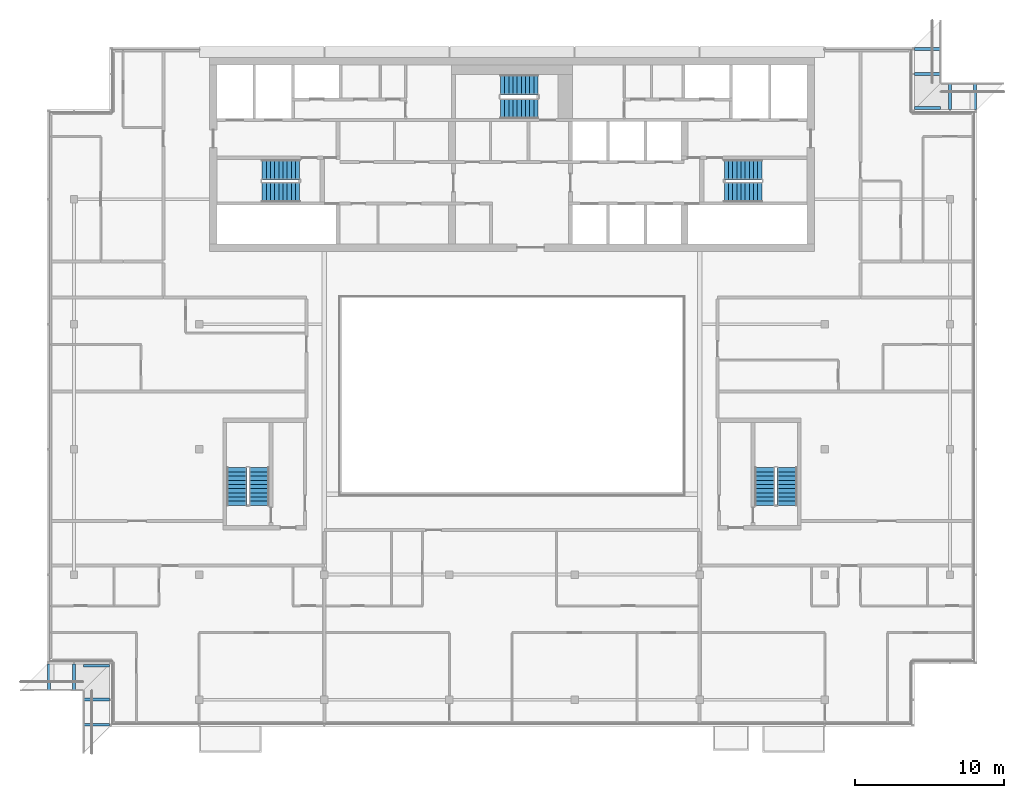
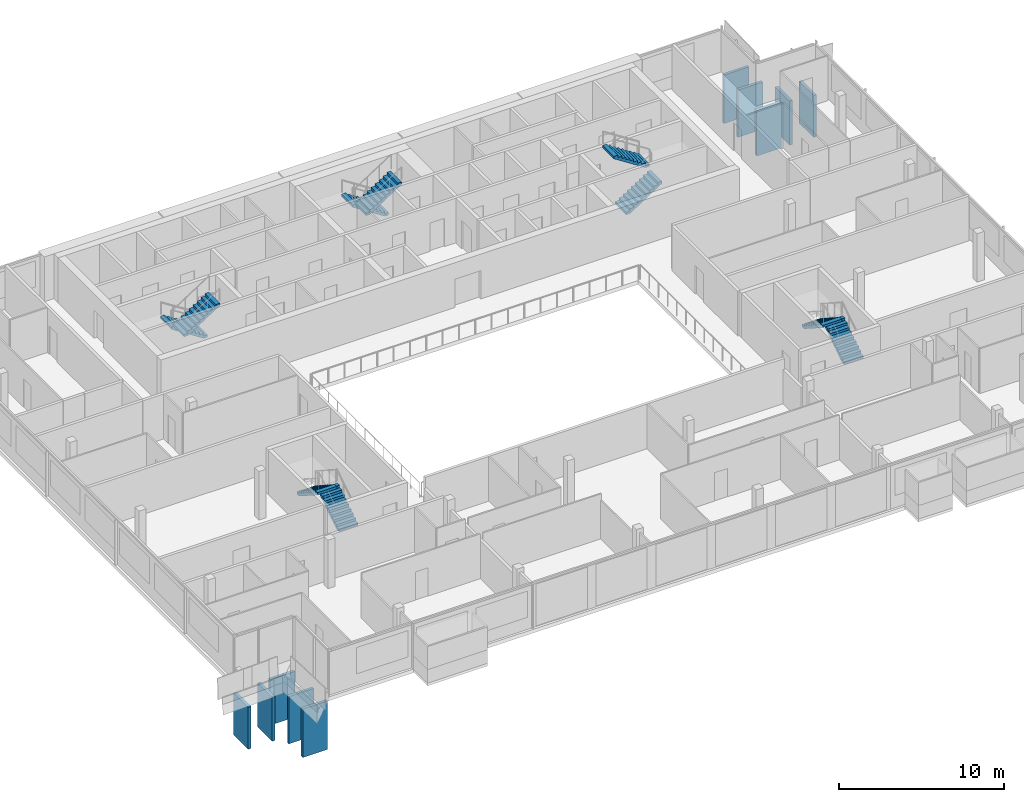
# One storey, part 21 of 24: 10 discrete accessories, 10 stair flights, 5 elements without a shape of their own.
"""IFC4 building model written with IfcOpenShell, lengths in metres."""

from ifc_helpers import new_model, si_unit, direction, frame, origin, origin_2d, place, context, subcontext, project, spatial, polyline, rectangle, outline, extrude, material, type_object, element, aggregate, save


model = new_model("IFC4")

# Units and contexts
model_context = context("Model", 3, precision=1e-05, world=origin(), true_north=direction((0.0, 1.0)))
body_context = subcontext(model_context, "Body", "Model", "MODEL_VIEW")
ifc_project = project(units=[si_unit("LENGTHUNIT", "METRE"), si_unit("AREAUNIT", "SQUARE_METRE"), si_unit("VOLUMEUNIT", "CUBIC_METRE"), si_unit("PLANEANGLEUNIT", "RADIAN"), si_unit("MASSUNIT", "GRAM", prefix="KILO")], contexts=[model_context])

# Site, building, storey
site_placement = place(None, origin())
site = spatial("IfcSite", under=ifc_project, at=site_placement, CompositionType="ELEMENT")
building_placement = place(site_placement, origin())
building = spatial("IfcBuilding", under=site, at=building_placement, Name="Saffron Gate Tower", CompositionType="ELEMENT")
storey_placement = place(building_placement, frame((0.0, 0.0, 281.550048828125)))
storey = spatial("IfcBuildingStorey", under=building, at=storey_placement, Name="L68", CompositionType="ELEMENT", Elevation=281.550048828125)

# Stair, stair flights
ifc_material = material(Name="Concrete C40", Category="concrete")
stair_type = type_object("IfcStairType", Name="ST7 Stair 1350 wide, 20 risers of 180", PredefinedType="HALF_TURN_STAIR", material=ifc_material)
stair_1_placement = place(storey_placement, origin())
stair_1 = element("IfcStair", 1, at=stair_1_placement, inside=storey, type_object=stair_type, Name="L68 Exit stair A", PredefinedType="HALF_TURN_STAIR")
stair_flight_type = type_object("IfcStairFlightType", Name="SF3 Stair flight 1350 wide, riser 180 going 280", PredefinedType="STRAIGHT", material=ifc_material)
stair_flight_1_placement = place(storey_placement, frame((73.35009765625, 67.375, 0.0), z_axis=(0.0, 0.0, 1.0), x_axis=(-1.0, 0.0, 0.0)))
stair_flight_1 = element("IfcStairFlight", 2, at=stair_flight_1_placement, type_object=stair_flight_type, Name="ST-A flight 1", NumberOfRisers=10, NumberOfTreads=9, PredefinedType="STRAIGHT", RiserHeight=0.18, TreadLength=0.28, context=body_context, shape_type="SweptSolid", body=[
    extrude(outline(polyline([(0.0, 0.0), (0.0, 0.179931640625), (0.280029296875, 0.179931640625), (0.280029296875, 0.360107421875), (0.56005859375, 0.360107421875), (0.56005859375, 0.5400390625), (0.840087890625, 0.5400390625), (0.840087890625, 0.719970703125), (1.1201171875, 0.719970703125), (1.1201171875, 0.89990234375), (1.39990234375, 0.89990234375), (1.39990234375, 1.080078125), (1.679931640625, 1.080078125), (1.679931640625, 1.260009765625), (1.9599609375, 1.260009765625), (1.9599609375, 1.43994140625), (2.239990234375, 1.43994140625), (2.239990234375, 1.6201171875), (2.52001953125, 1.6201171875), (2.52001953125, 1.800048828125), (2.52001953125, 1.44189453125), (0.277099609375, 0.0), (0.0, 0.0)])), frame((0.0, 0.675048828125, 0.0), z_axis=(0.0, -1.0, 0.0), x_axis=(1.0, 0.0, 0.0)), (0.0, 0.0, 1.0), 1.35009765625),
])
stair_flight_2_placement = place(storey_placement, frame((70.830078125, 65.875, 1.800048828125), z_axis=(0.0, 0.0, 1.0), x_axis=(1.0, 0.0, 0.0)))
stair_flight_2 = element("IfcStairFlight", 3, at=stair_flight_2_placement, type_object=stair_flight_type, Name="ST-A flight 2", NumberOfRisers=10, NumberOfTreads=9, PredefinedType="STRAIGHT", RiserHeight=0.18, TreadLength=0.28, context=body_context, shape_type="SweptSolid", body=[
    extrude(outline(polyline([(0.0, 0.0), (0.0, 0.179931640625), (0.280029296875, 0.179931640625), (0.280029296875, 0.360107421875), (0.56005859375, 0.360107421875), (0.56005859375, 0.5400390625), (0.840087890625, 0.5400390625), (0.840087890625, 0.719970703125), (1.1201171875, 0.719970703125), (1.1201171875, 0.89990234375), (1.39990234375, 0.89990234375), (1.39990234375, 1.080078125), (1.679931640625, 1.080078125), (1.679931640625, 1.260009765625), (1.9599609375, 1.260009765625), (1.9599609375, 1.43994140625), (2.239990234375, 1.43994140625), (2.239990234375, 1.6201171875), (2.52001953125, 1.6201171875), (2.52001953125, 1.800048828125), (2.52001953125, 1.44189453125), (0.277099609375, 0.0), (0.0, 0.0)])), frame((0.0, 0.675048828125, 0.0), z_axis=(0.0, -1.0, 0.0), x_axis=(1.0, 0.0, 0.0)), (0.0, 0.0, 1.0), 1.35009765625),
])
aggregate(stair_1, [stair_flight_1, stair_flight_2])

stair_2_placement = place(storey_placement, origin())
stair_2 = element("IfcStair", 4, at=stair_2_placement, inside=storey, type_object=stair_type, Name="L68 Exit stair B", PredefinedType="HALF_TURN_STAIR")
stair_flight_3_placement = place(storey_placement, frame((101.85009765625, 65.875, 0.0), z_axis=(0.0, 0.0, 1.0), x_axis=(1.0, 0.0, 0.0)))
stair_flight_3 = element("IfcStairFlight", 5, at=stair_flight_3_placement, type_object=stair_flight_type, Name="ST-B flight 1", NumberOfRisers=10, NumberOfTreads=9, PredefinedType="STRAIGHT", RiserHeight=0.18, TreadLength=0.28, context=body_context, shape_type="SweptSolid", body=[
    extrude(outline(polyline([(0.0, 0.0), (0.0, 0.179931640625), (0.280029296875, 0.179931640625), (0.280029296875, 0.360107421875), (0.56005859375, 0.360107421875), (0.56005859375, 0.5400390625), (0.840087890625, 0.5400390625), (0.840087890625, 0.719970703125), (1.1201171875, 0.719970703125), (1.1201171875, 0.89990234375), (1.39990234375, 0.89990234375), (1.39990234375, 1.080078125), (1.679931640625, 1.080078125), (1.679931640625, 1.260009765625), (1.9599609375, 1.260009765625), (1.9599609375, 1.43994140625), (2.239990234375, 1.43994140625), (2.239990234375, 1.6201171875), (2.52001953125, 1.6201171875), (2.52001953125, 1.800048828125), (2.52001953125, 1.44189453125), (0.277099609375, 0.0), (0.0, 0.0)])), frame((0.0, 0.675048828125, 0.0), z_axis=(0.0, -1.0, 0.0), x_axis=(1.0, 0.0, 0.0)), (0.0, 0.0, 1.0), 1.35009765625),
])
stair_flight_4_placement = place(storey_placement, frame((104.3701171875, 67.375, 1.800048828125), z_axis=(0.0, 0.0, 1.0), x_axis=(-1.0, 0.0, 0.0)))
stair_flight_4 = element("IfcStairFlight", 6, at=stair_flight_4_placement, type_object=stair_flight_type, Name="ST-B flight 2", NumberOfRisers=10, NumberOfTreads=9, PredefinedType="STRAIGHT", RiserHeight=0.18, TreadLength=0.28, context=body_context, shape_type="SweptSolid", body=[
    extrude(outline(polyline([(0.0, 0.0), (0.0, 0.179931640625), (0.280029296875, 0.179931640625), (0.280029296875, 0.360107421875), (0.56005859375, 0.360107421875), (0.56005859375, 0.5400390625), (0.840087890625, 0.5400390625), (0.840087890625, 0.719970703125), (1.1201171875, 0.719970703125), (1.1201171875, 0.89990234375), (1.39990234375, 0.89990234375), (1.39990234375, 1.080078125), (1.679931640625, 1.080078125), (1.679931640625, 1.260009765625), (1.9599609375, 1.260009765625), (1.9599609375, 1.43994140625), (2.239990234375, 1.43994140625), (2.239990234375, 1.6201171875), (2.52001953125, 1.6201171875), (2.52001953125, 1.800048828125), (2.52001953125, 1.44189453125), (0.277099609375, 0.0), (0.0, 0.0)])), frame((0.0, 0.675048828125, 0.0), z_axis=(0.0, -1.0, 0.0), x_axis=(1.0, 0.0, 0.0)), (0.0, 0.0, 1.0), 1.35009765625),
])
aggregate(stair_2, [stair_flight_3, stair_flight_4])

stair_3_placement = place(storey_placement, origin())
stair_3 = element("IfcStair", 7, at=stair_3_placement, inside=storey, type_object=stair_type, Name="L68 Exit stair C", PredefinedType="HALF_TURN_STAIR")
stair_flight_5_placement = place(storey_placement, frame((89.35009765625, 73.074951171875, 0.0), z_axis=(0.0, 0.0, 1.0), x_axis=(-1.0, 0.0, 0.0)))
stair_flight_5 = element("IfcStairFlight", 8, at=stair_flight_5_placement, type_object=stair_flight_type, Name="ST-C flight 1", NumberOfRisers=10, NumberOfTreads=9, PredefinedType="STRAIGHT", RiserHeight=0.18, TreadLength=0.28, context=body_context, shape_type="SweptSolid", body=[
    extrude(outline(polyline([(0.0, 0.0), (0.0, 0.179931640625), (0.280029296875, 0.179931640625), (0.280029296875, 0.360107421875), (0.56005859375, 0.360107421875), (0.56005859375, 0.5400390625), (0.840087890625, 0.5400390625), (0.840087890625, 0.719970703125), (1.1201171875, 0.719970703125), (1.1201171875, 0.89990234375), (1.39990234375, 0.89990234375), (1.39990234375, 1.080078125), (1.679931640625, 1.080078125), (1.679931640625, 1.260009765625), (1.9599609375, 1.260009765625), (1.9599609375, 1.43994140625), (2.239990234375, 1.43994140625), (2.239990234375, 1.6201171875), (2.52001953125, 1.6201171875), (2.52001953125, 1.800048828125), (2.52001953125, 1.44189453125), (0.277099609375, 0.0), (0.0, 0.0)])), frame((0.0, 0.675048828125, 0.0), z_axis=(0.0, -1.0, 0.0), x_axis=(1.0, 0.0, 0.0)), (0.0, 0.0, 1.0), 1.35009765625),
])
stair_flight_6_placement = place(storey_placement, frame((86.830078125, 71.47509765625, 1.800048828125), z_axis=(0.0, 0.0, 1.0), x_axis=(1.0, 0.0, 0.0)))
stair_flight_6 = element("IfcStairFlight", 9, at=stair_flight_6_placement, type_object=stair_flight_type, Name="ST-C flight 2", NumberOfRisers=10, NumberOfTreads=9, PredefinedType="STRAIGHT", RiserHeight=0.18, TreadLength=0.28, context=body_context, shape_type="SweptSolid", body=[
    extrude(outline(polyline([(0.0, 0.0), (0.0, 0.179931640625), (0.280029296875, 0.179931640625), (0.280029296875, 0.360107421875), (0.56005859375, 0.360107421875), (0.56005859375, 0.5400390625), (0.840087890625, 0.5400390625), (0.840087890625, 0.719970703125), (1.1201171875, 0.719970703125), (1.1201171875, 0.89990234375), (1.39990234375, 0.89990234375), (1.39990234375, 1.080078125), (1.679931640625, 1.080078125), (1.679931640625, 1.260009765625), (1.9599609375, 1.260009765625), (1.9599609375, 1.43994140625), (2.239990234375, 1.43994140625), (2.239990234375, 1.6201171875), (2.52001953125, 1.6201171875), (2.52001953125, 1.800048828125), (2.52001953125, 1.44189453125), (0.277099609375, 0.0), (0.0, 0.0)])), frame((0.0, 0.675048828125, 0.0), z_axis=(0.0, -1.0, 0.0), x_axis=(1.0, 0.0, 0.0)), (0.0, 0.0, 1.0), 1.35009765625),
])
aggregate(stair_3, [stair_flight_5, stair_flight_6])

stair_4_placement = place(storey_placement, origin())
stair_4 = element("IfcStair", 10, at=stair_4_placement, inside=storey, type_object=stair_type, Name="L68 Exit stair D", PredefinedType="HALF_TURN_STAIR")
stair_flight_7_placement = place(storey_placement, frame((70.625, 44.85009765625, 0.0), z_axis=(0.0, 0.0, 1.0), x_axis=(0.0, 1.0, 0.0)))
stair_flight_7 = element("IfcStairFlight", 11, at=stair_flight_7_placement, type_object=stair_flight_type, Name="ST-D flight 1", NumberOfRisers=10, NumberOfTreads=9, PredefinedType="STRAIGHT", RiserHeight=0.18, TreadLength=0.28, context=body_context, shape_type="SweptSolid", body=[
    extrude(outline(polyline([(0.0, 0.0), (0.0, 0.179931640625), (0.280029296875, 0.179931640625), (0.280029296875, 0.360107421875), (0.56005859375, 0.360107421875), (0.56005859375, 0.5400390625), (0.840087890625, 0.5400390625), (0.840087890625, 0.719970703125), (1.1201171875, 0.719970703125), (1.1201171875, 0.89990234375), (1.39990234375, 0.89990234375), (1.39990234375, 1.080078125), (1.679931640625, 1.080078125), (1.679931640625, 1.260009765625), (1.9599609375, 1.260009765625), (1.9599609375, 1.43994140625), (2.239990234375, 1.43994140625), (2.239990234375, 1.6201171875), (2.52001953125, 1.6201171875), (2.52001953125, 1.800048828125), (2.52001953125, 1.44189453125), (0.277099609375, 0.0), (0.0, 0.0)])), frame((0.0, 0.675048828125, 0.0), z_axis=(0.0, -1.0, 0.0), x_axis=(1.0, 0.0, 0.0)), (0.0, 0.0, 1.0), 1.35009765625),
])
stair_flight_8_placement = place(storey_placement, frame((69.125, 47.3701171875, 1.800048828125), z_axis=(0.0, 0.0, 1.0), x_axis=(0.0, -1.0, 0.0)))
stair_flight_8 = element("IfcStairFlight", 12, at=stair_flight_8_placement, type_object=stair_flight_type, Name="ST-D flight 2", NumberOfRisers=10, NumberOfTreads=9, PredefinedType="STRAIGHT", RiserHeight=0.18, TreadLength=0.28, context=body_context, shape_type="SweptSolid", body=[
    extrude(outline(polyline([(0.0, 0.0), (0.0, 0.179931640625), (0.280029296875, 0.179931640625), (0.280029296875, 0.360107421875), (0.56005859375, 0.360107421875), (0.56005859375, 0.5400390625), (0.840087890625, 0.5400390625), (0.840087890625, 0.719970703125), (1.1201171875, 0.719970703125), (1.1201171875, 0.89990234375), (1.39990234375, 0.89990234375), (1.39990234375, 1.080078125), (1.679931640625, 1.080078125), (1.679931640625, 1.260009765625), (1.9599609375, 1.260009765625), (1.9599609375, 1.43994140625), (2.239990234375, 1.43994140625), (2.239990234375, 1.6201171875), (2.52001953125, 1.6201171875), (2.52001953125, 1.800048828125), (2.52001953125, 1.44189453125), (0.277099609375, 0.0), (0.0, 0.0)])), frame((0.0, 0.675048828125, 0.0), z_axis=(0.0, -1.0, 0.0), x_axis=(1.0, 0.0, 0.0)), (0.0, 0.0, 1.0), 1.35009765625),
])
aggregate(stair_4, [stair_flight_7, stair_flight_8])

stair_5_placement = place(storey_placement, origin())
stair_5 = element("IfcStair", 13, at=stair_5_placement, inside=storey, type_object=stair_type, Name="L68 Exit stair E", PredefinedType="HALF_TURN_STAIR")
stair_flight_9_placement = place(storey_placement, frame((106.074951171875, 44.85009765625, 0.0), z_axis=(0.0, 0.0, 1.0), x_axis=(0.0, 1.0, 0.0)))
stair_flight_9 = element("IfcStairFlight", 14, at=stair_flight_9_placement, type_object=stair_flight_type, Name="ST-E flight 1", NumberOfRisers=10, NumberOfTreads=9, PredefinedType="STRAIGHT", RiserHeight=0.18, TreadLength=0.28, context=body_context, shape_type="SweptSolid", body=[
    extrude(outline(polyline([(0.0, 0.0), (0.0, 0.179931640625), (0.280029296875, 0.179931640625), (0.280029296875, 0.360107421875), (0.56005859375, 0.360107421875), (0.56005859375, 0.5400390625), (0.840087890625, 0.5400390625), (0.840087890625, 0.719970703125), (1.1201171875, 0.719970703125), (1.1201171875, 0.89990234375), (1.39990234375, 0.89990234375), (1.39990234375, 1.080078125), (1.679931640625, 1.080078125), (1.679931640625, 1.260009765625), (1.9599609375, 1.260009765625), (1.9599609375, 1.43994140625), (2.239990234375, 1.43994140625), (2.239990234375, 1.6201171875), (2.52001953125, 1.6201171875), (2.52001953125, 1.800048828125), (2.52001953125, 1.44189453125), (0.277099609375, 0.0), (0.0, 0.0)])), frame((0.0, 0.675048828125, 0.0), z_axis=(0.0, -1.0, 0.0), x_axis=(1.0, 0.0, 0.0)), (0.0, 0.0, 1.0), 1.35009765625),
])
stair_flight_10_placement = place(storey_placement, frame((104.574951171875, 47.3701171875, 1.800048828125), z_axis=(0.0, 0.0, 1.0), x_axis=(0.0, -1.0, 0.0)))
stair_flight_10 = element("IfcStairFlight", 15, at=stair_flight_10_placement, type_object=stair_flight_type, Name="ST-E flight 2", NumberOfRisers=10, NumberOfTreads=9, PredefinedType="STRAIGHT", RiserHeight=0.18, TreadLength=0.28, context=body_context, shape_type="SweptSolid", body=[
    extrude(outline(polyline([(0.0, 0.0), (0.0, 0.179931640625), (0.280029296875, 0.179931640625), (0.280029296875, 0.360107421875), (0.56005859375, 0.360107421875), (0.56005859375, 0.5400390625), (0.840087890625, 0.5400390625), (0.840087890625, 0.719970703125), (1.1201171875, 0.719970703125), (1.1201171875, 0.89990234375), (1.39990234375, 0.89990234375), (1.39990234375, 1.080078125), (1.679931640625, 1.080078125), (1.679931640625, 1.260009765625), (1.9599609375, 1.260009765625), (1.9599609375, 1.43994140625), (2.239990234375, 1.43994140625), (2.239990234375, 1.6201171875), (2.52001953125, 1.6201171875), (2.52001953125, 1.800048828125), (2.52001953125, 1.44189453125), (0.277099609375, 0.0), (0.0, 0.0)])), frame((0.0, 0.675048828125, 0.0), z_axis=(0.0, -1.0, 0.0), x_axis=(1.0, 0.0, 0.0)), (0.0, 0.0, 1.0), 1.35009765625),
])
aggregate(stair_5, [stair_flight_9, stair_flight_10])

# Discrete accessories
discrete_accessory_1_placement = place(storey_placement, frame((56.52001953125, 33.324951171875, -3.880126953125), z_axis=(0.0, 0.0, 1.0), x_axis=(1.0, 0.0, 0.0)))
element("IfcDiscreteAccessory", 16, at=discrete_accessory_1_placement, inside=storey, Name="LEDGE rib", PredefinedType="BRACKET", context=body_context, shape_type="SweptSolid", body=[
    extrude(rectangle(XDim=0.199951171875, YDim=1.75, at=origin_2d()), origin(), (0.0, 0.0, 1.0), 3.11376953125),
])
discrete_accessory_2_placement = place(storey_placement, frame((58.199951171875, 33.324951171875, -3.880126953125), z_axis=(0.0, 0.0, 1.0), x_axis=(1.0, 0.0, 0.0)))
element("IfcDiscreteAccessory", 17, at=discrete_accessory_2_placement, inside=storey, Name="LEDGE rib", PredefinedType="BRACKET", context=body_context, shape_type="SweptSolid", body=[
    extrude(rectangle(XDim=0.199951171875, YDim=1.75, at=origin_2d()), origin(), (0.0, 0.0, 1.0), 3.283203125),
])
discrete_accessory_3_placement = place(storey_placement, frame((59.72509765625, 34.080078125, -3.880126953125), z_axis=(0.0, 0.0, 1.0), x_axis=(0.0, -1.0, 0.0)))
element("IfcDiscreteAccessory", 18, at=discrete_accessory_3_placement, inside=storey, Name="LEDGE rib", PredefinedType="BRACKET", context=body_context, shape_type="SweptSolid", body=[
    extrude(rectangle(XDim=0.199951171875, YDim=1.75, at=origin_2d()), origin(), (0.0, 0.0, 1.0), 3.3876953125),
])
discrete_accessory_4_placement = place(storey_placement, frame((59.72509765625, 31.800048828125, -3.880126953125), z_axis=(0.0, 0.0, 1.0), x_axis=(0.0, -1.0, 0.0)))
element("IfcDiscreteAccessory", 19, at=discrete_accessory_4_placement, inside=storey, Name="LEDGE rib", PredefinedType="BRACKET", context=body_context, shape_type="SweptSolid", body=[
    extrude(rectangle(XDim=0.199951171875, YDim=1.75, at=origin_2d()), origin(), (0.0, 0.0, 1.0), 3.50390625),
])
discrete_accessory_5_placement = place(storey_placement, frame((59.72509765625, 30.1201171875, -3.8798828125), z_axis=(0.0, 0.0, 1.0), x_axis=(0.0, -1.0, 0.0)))
element("IfcDiscreteAccessory", 20, at=discrete_accessory_5_placement, inside=storey, Name="LEDGE rib", PredefinedType="BRACKET", context=body_context, shape_type="SweptSolid", body=[
    extrude(rectangle(XDim=0.199951171875, YDim=1.75, at=origin_2d()), origin(), (0.0, 0.0, 1.0), 3.602783203125),
])
discrete_accessory_6_placement = place(storey_placement, frame((118.679931640625, 72.27490234375, -3.880126953125), z_axis=(0.0, 0.0, 1.0), x_axis=(-1.0, 0.0, 0.0)))
element("IfcDiscreteAccessory", 21, at=discrete_accessory_6_placement, inside=storey, Name="LEDGE rib", PredefinedType="BRACKET", context=body_context, shape_type="SweptSolid", body=[
    extrude(rectangle(XDim=0.199951171875, YDim=1.75, at=origin_2d()), origin(), (0.0, 0.0, 1.0), 3.11376953125),
])
discrete_accessory_7_placement = place(storey_placement, frame((117.0, 72.27490234375, -3.880126953125), z_axis=(0.0, 0.0, 1.0), x_axis=(-1.0, 0.0, 0.0)))
element("IfcDiscreteAccessory", 22, at=discrete_accessory_7_placement, inside=storey, Name="LEDGE rib", PredefinedType="BRACKET", context=body_context, shape_type="SweptSolid", body=[
    extrude(rectangle(XDim=0.199951171875, YDim=1.75, at=origin_2d()), origin(), (0.0, 0.0, 1.0), 3.283203125),
])
discrete_accessory_8_placement = place(storey_placement, frame((115.47509765625, 71.52001953125, -3.880126953125), z_axis=(0.0, 0.0, 1.0), x_axis=(0.0, 1.0, 0.0)))
element("IfcDiscreteAccessory", 23, at=discrete_accessory_8_placement, inside=storey, Name="LEDGE rib", PredefinedType="BRACKET", context=body_context, shape_type="SweptSolid", body=[
    extrude(rectangle(XDim=0.199951171875, YDim=1.75, at=origin_2d()), origin(), (0.0, 0.0, 1.0), 3.3876953125),
])
discrete_accessory_9_placement = place(storey_placement, frame((115.47509765625, 73.800048828125, -3.880126953125), z_axis=(0.0, 0.0, 1.0), x_axis=(0.0, 1.0, 0.0)))
element("IfcDiscreteAccessory", 24, at=discrete_accessory_9_placement, inside=storey, Name="LEDGE rib", PredefinedType="BRACKET", context=body_context, shape_type="SweptSolid", body=[
    extrude(rectangle(XDim=0.199951171875, YDim=1.75, at=origin_2d()), origin(), (0.0, 0.0, 1.0), 3.50390625),
])
discrete_accessory_10_placement = place(storey_placement, frame((115.47509765625, 75.47998046875, -3.8798828125), z_axis=(0.0, 0.0, 1.0), x_axis=(0.0, 1.0, 0.0)))
element("IfcDiscreteAccessory", 25, at=discrete_accessory_10_placement, inside=storey, Name="LEDGE rib", PredefinedType="BRACKET", context=body_context, shape_type="SweptSolid", body=[
    extrude(rectangle(XDim=0.199951171875, YDim=1.75, at=origin_2d()), origin(), (0.0, 0.0, 1.0), 3.602783203125),
])

save(model, "model.ifc")
